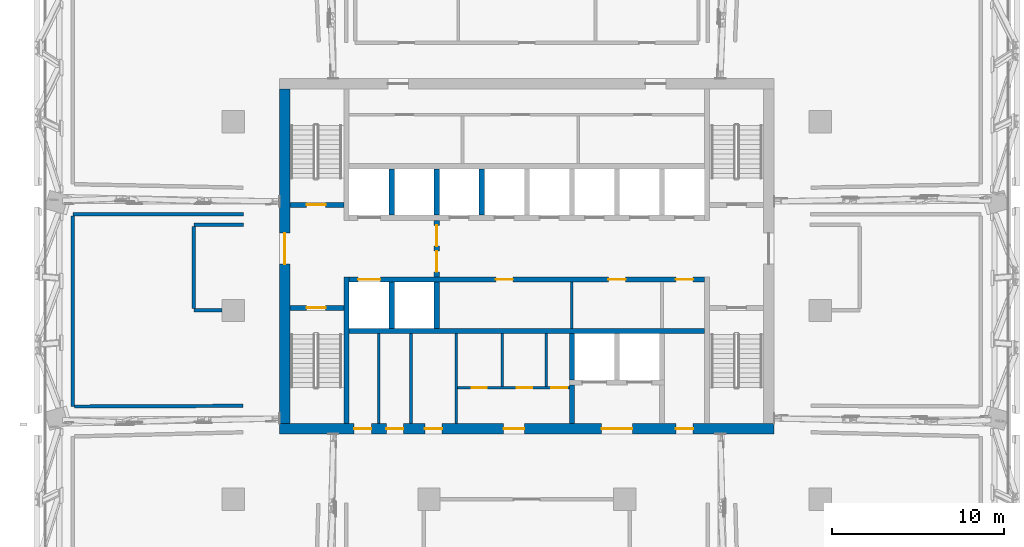
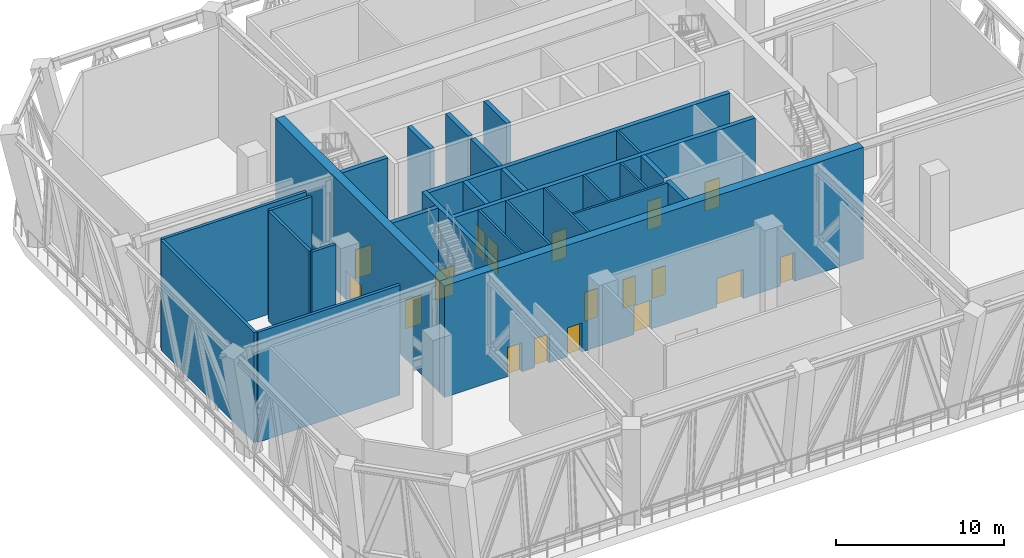
# One storey, part 6 of 24: 28 walls, 18 doors, 18 openings.
"""IFC4 building model written with IfcOpenShell, lengths in metres."""

from ifc_helpers import new_model, si_unit, direction, frame, frame_2d, origin, place, context, subcontext, project, spatial, rectangle, extrude, material, layer, layer_set, type_object, element, fill, save


model = new_model("IFC4")

# Units and contexts
model_context = context("Model", 3, precision=1e-05, world=origin(), true_north=direction((0.0, 1.0)))
body_context = subcontext(model_context, "Body", "Model", "MODEL_VIEW")
ifc_project = project(units=[si_unit("LENGTHUNIT", "METRE"), si_unit("AREAUNIT", "SQUARE_METRE"), si_unit("VOLUMEUNIT", "CUBIC_METRE"), si_unit("PLANEANGLEUNIT", "RADIAN"), si_unit("MASSUNIT", "GRAM", prefix="KILO")], contexts=[model_context])

# Site, building, storey
site_placement = place(None, origin())
site = spatial("IfcSite", under=ifc_project, at=site_placement, CompositionType="ELEMENT")
building_placement = place(site_placement, origin())
building = spatial("IfcBuilding", under=site, at=building_placement, Name="Mopane Tessera Tower", CompositionType="ELEMENT")
storey_placement = place(building_placement, frame((0.0, 0.0, 259.0)))
storey = spatial("IfcBuildingStorey", under=building, at=storey_placement, Name="L56", CompositionType="ELEMENT", Elevation=259.0)

# Walls
ifc_material_1 = material(Name="Fire-rated gypsum board partition")
ifc_layer_1 = layer(ifc_material_1, 0.14990234375)
ifc_layer_set_1 = layer_set([ifc_layer_1], Name="Fire-rated gypsum board partition")
wall_type_1 = type_object("IfcWallType", Name="Core room partition 150 mm", PredefinedType="PARTITIONING", material=ifc_layer_set_1)
for number, where, z_axis, x_axis, name in (
    (1, (-8.625, -6.60009765625, 0.0), (0.0, 0.0, 1.0), (0.0, 1.0, 0.0), "L56 Room partition"),
    (2, (-6.75, -6.60009765625, 0.0), (0.0, 0.0, 1.0), (0.0, 1.0, 0.0), "L56 Room partition"),
    (3, (-4.125, -6.60009765625, 0.0), (0.0, 0.0, 1.0), (0.0, 1.0, 0.0), "L56 Room partition"),
):
    element("IfcWall", number, at=place(storey_placement, frame(where, z_axis=z_axis, x_axis=x_axis)), inside=storey, type_object=wall_type_1, Name=name, PredefinedType="PARTITIONING", context=body_context, shape_type="SweptSolid", body=[
        extrude(rectangle(XDim=5.25, YDim=0.14990234375, at=frame_2d((2.625, 0.0))), origin(), (0.0, 0.0, 1.0), 8.10009765625),
    ])

# Wall, openings, doors
wall_1_placement = place(storey_placement, frame((-4.050048828125, -4.5, 0.0), z_axis=(0.0, 0.0, 1.0), x_axis=(1.0, 0.0, 0.0)))
wall_1 = element("IfcWall", 4, at=wall_1_placement, inside=storey, type_object=wall_type_1, Name="L56 WC partition", PredefinedType="PARTITIONING", context=body_context, shape_type="SweptSolid", body=[
    extrude(rectangle(XDim=6.525146484375, YDim=0.14990234375, at=frame_2d((3.2626953125, 0.0))), origin(), (0.0, 0.0, 1.0), 8.10009765625),
])
opening_1_placement = place(wall_1_placement, frame((0.824951171875, 0.0, 0.0)))
opening_1 = element("IfcOpeningElement", 5, at=opening_1_placement, cuts=wall_1, Name="Opening WD1", PredefinedType="OPENING", context=body_context, shape_type="SweptSolid", body=[
    extrude(rectangle(XDim=0.89990234375, YDim=2.10009765625, at=frame_2d((0.449951171875, 1.050048828125))), frame((0.0, 0.0869140625, 0.0), z_axis=(0.0, -1.0, 0.0), x_axis=(1.0, 0.0, 0.0)), (0.0, 0.0, 1.0), 0.173828125),
])
opening_2_placement = place(wall_1_placement, frame((3.45751953125, 0.0, 0.0)))
opening_2 = element("IfcOpeningElement", 6, at=opening_2_placement, cuts=wall_1, Name="Opening WD1", PredefinedType="OPENING", context=body_context, shape_type="SweptSolid", body=[
    extrude(rectangle(XDim=0.89990234375, YDim=2.10009765625, at=frame_2d((0.449951171875, 1.050048828125))), frame((0.0, 0.0869140625, 0.0), z_axis=(0.0, -1.0, 0.0), x_axis=(1.0, 0.0, 0.0)), (0.0, 0.0, 1.0), 0.173828125),
])
opening_3_placement = place(wall_1_placement, frame((5.45751953125, 0.0, 0.0)))
opening_3 = element("IfcOpeningElement", 7, at=opening_3_placement, cuts=wall_1, Name="Opening WD2", PredefinedType="OPENING", context=body_context, shape_type="SweptSolid", body=[
    extrude(rectangle(XDim=0.949951171875, YDim=2.10009765625, at=frame_2d((0.47509765625, 1.050048828125))), frame((0.0, 0.0869140625, 0.0), z_axis=(0.0, -1.0, 0.0), x_axis=(1.0, 0.0, 0.0)), (0.0, 0.0, 1.0), 0.173828125),
])
ifc_material_2 = material(Name="Timber door", Category="wood")
door_type_1 = type_object("IfcDoorType", Name="Accessible WC door 950 x 2100", OperationType="SINGLE_SWING_LEFT", PredefinedType="DOOR", material=ifc_material_2)
door_1_placement = place(opening_3_placement, origin())
door_1 = element("IfcDoor", 8, at=door_1_placement, inside=storey, type_object=door_type_1, Name="L56 Accessible WC door", OperationType="SINGLE_SWING_LEFT", OverallHeight=2.10009765625, OverallWidth=0.949951171875, PredefinedType="DOOR", context=body_context, shape_type="SweptSolid", body=[
    extrude(rectangle(XDim=0.949951171875, YDim=2.10009765625, at=frame_2d((0.47509765625, 1.050048828125))), frame((0.0, 0.02490234375, 0.0), z_axis=(0.0, -1.0, 0.0), x_axis=(1.0, 0.0, 0.0)), (0.0, 0.0, 1.0), 0.050048828125),
])
fill(opening_3, door_1)
ifc_material_3 = material(Name="Timber door", Category="wood")
door_type_2 = type_object("IfcDoorType", Name="WC cubicle door 900 x 2100", OperationType="SINGLE_SWING_LEFT", PredefinedType="DOOR", material=ifc_material_3)
door_2_placement = place(opening_1_placement, origin())
door_2 = element("IfcDoor", 9, at=door_2_placement, inside=storey, type_object=door_type_2, Name="L56 Men's WC door", OperationType="SINGLE_SWING_LEFT", OverallHeight=2.10009765625, OverallWidth=0.89990234375, PredefinedType="DOOR", context=body_context, shape_type="SweptSolid", body=[
    extrude(rectangle(XDim=0.89990234375, YDim=2.10009765625, at=frame_2d((0.449951171875, 1.050048828125))), frame((0.0, 0.02490234375, 0.0), z_axis=(0.0, -1.0, 0.0), x_axis=(1.0, 0.0, 0.0)), (0.0, 0.0, 1.0), 0.050048828125),
])
fill(opening_1, door_2)
door_3_placement = place(opening_2_placement, origin())
door_3 = element("IfcDoor", 10, at=door_3_placement, inside=storey, type_object=door_type_2, Name="L56 Women's WC door", OperationType="SINGLE_SWING_LEFT", OverallHeight=2.10009765625, OverallWidth=0.89990234375, PredefinedType="DOOR", context=body_context, shape_type="SweptSolid", body=[
    extrude(rectangle(XDim=0.89990234375, YDim=2.10009765625, at=frame_2d((0.449951171875, 1.050048828125))), frame((0.0, 0.02490234375, 0.0), z_axis=(0.0, -1.0, 0.0), x_axis=(1.0, 0.0, 0.0)), (0.0, 0.0, 1.0), 0.050048828125),
])
fill(opening_2, door_3)

# Walls
for number, where, z_axis, x_axis, name in (
    (11, (-1.425048828125, -4.425048828125, 0.0), (0.0, 0.0, 1.0), (0.0, 1.0, 0.0), "L56 WC partition"),
    (12, (1.139892578125, -4.425048828125, 0.0), (0.0, 0.0, 1.0), (0.0, 1.0, 0.0), "L56 WC partition"),
):
    element("IfcWall", number, at=place(storey_placement, frame(where, z_axis=z_axis, x_axis=x_axis)), inside=storey, type_object=wall_type_1, Name=name, PredefinedType="PARTITIONING", context=body_context, shape_type="SweptSolid", body=[
        extrude(rectangle(XDim=3.074951171875, YDim=0.14990234375, at=frame_2d((1.53759765625, 0.0))), origin(), (0.0, 0.0, 1.0), 8.10009765625),
    ])
wall_2_placement = place(storey_placement, frame((2.625, -1.050048828125, 0.0), z_axis=(0.0, 0.0, 1.0), x_axis=(0.0, 1.0, 0.0)))
element("IfcWall", 13, at=wall_2_placement, inside=storey, type_object=wall_type_1, Name="L56 Room partition", PredefinedType="PARTITIONING", context=body_context, shape_type="SweptSolid", body=[
    extrude(rectangle(XDim=2.699951171875, YDim=0.14990234375, at=frame_2d((1.35009765625, 0.0))), origin(), (0.0, 0.0, 1.0), 8.10009765625),
])

# Wall, openings, doors
ifc_material_4 = material(Name="Concrete C70/85", Category="concrete")
ifc_layer_2 = layer(ifc_material_4, 0.60009765625)
ifc_layer_set_2 = layer_set([ifc_layer_2], Name="Concrete C70/85")
wall_type_2 = type_object("IfcWallType", Name="Core shear wall 600 mm", PredefinedType="SHEAR", material=ifc_layer_set_2)
wall_3_placement = place(storey_placement, frame((-14.39990234375, -6.89990234375, 0.0), z_axis=(0.0, 0.0, 1.0), x_axis=(1.0, 0.0, 0.0)))
wall_3 = element("IfcWall", 14, at=wall_3_placement, inside=storey, type_object=wall_type_2, Name="L56 Core wall south", PredefinedType="SHEAR", context=body_context, shape_type="SweptSolid", body=[
    extrude(rectangle(XDim=28.7998046875, YDim=0.60009765625, at=frame_2d((14.39990234375, 0.0))), origin(), (0.0, 0.0, 1.0), 8.10009765625),
])
opening_4_placement = place(wall_3_placement, frame((4.33740234375, 0.0, 0.0)))
opening_4 = element("IfcOpeningElement", 15, at=opening_4_placement, cuts=wall_3, Name="Opening RD1", PredefinedType="OPENING", context=body_context, shape_type="SweptSolid", body=[
    extrude(rectangle(XDim=1.0, YDim=2.10009765625, at=frame_2d((0.5, 1.050048828125))), frame((0.0, 0.31201171875, 0.0), z_axis=(0.0, -1.0, 0.0), x_axis=(1.0, 0.0, 0.0)), (0.0, 0.0, 1.0), 0.6240234375),
])
opening_5_placement = place(wall_3_placement, frame((6.21240234375, 0.0, 0.0)))
opening_5 = element("IfcOpeningElement", 16, at=opening_5_placement, cuts=wall_3, Name="Opening RD1", PredefinedType="OPENING", context=body_context, shape_type="SweptSolid", body=[
    extrude(rectangle(XDim=1.0, YDim=2.10009765625, at=frame_2d((0.5, 1.050048828125))), frame((0.0, 0.31201171875, 0.0), z_axis=(0.0, -1.0, 0.0), x_axis=(1.0, 0.0, 0.0)), (0.0, 0.0, 1.0), 0.6240234375),
])
opening_6_placement = place(wall_3_placement, frame((8.46240234375, 0.0, 0.0)))
opening_6 = element("IfcOpeningElement", 17, at=opening_6_placement, cuts=wall_3, Name="Opening RD1", PredefinedType="OPENING", context=body_context, shape_type="SweptSolid", body=[
    extrude(rectangle(XDim=1.0, YDim=2.10009765625, at=frame_2d((0.5, 1.050048828125))), frame((0.0, 0.31201171875, 0.0), z_axis=(0.0, -1.0, 0.0), x_axis=(1.0, 0.0, 0.0)), (0.0, 0.0, 1.0), 0.6240234375),
])
opening_7_placement = place(wall_3_placement, frame((13.050048828125, 0.0, 0.0)))
opening_7 = element("IfcOpeningElement", 18, at=opening_7_placement, cuts=wall_3, Name="Opening WD3", PredefinedType="OPENING", context=body_context, shape_type="SweptSolid", body=[
    extrude(rectangle(XDim=1.199951171875, YDim=2.10009765625, at=frame_2d((0.60009765625, 1.050048828125))), frame((0.0, 0.31201171875, 0.0), z_axis=(0.0, -1.0, 0.0), x_axis=(1.0, 0.0, 0.0)), (0.0, 0.0, 1.0), 0.6240234375),
])
opening_8_placement = place(wall_3_placement, frame((18.75, 0.0, 0.0)))
opening_8 = element("IfcOpeningElement", 19, at=opening_8_placement, cuts=wall_3, Name="Opening SD2", PredefinedType="OPENING", context=body_context, shape_type="SweptSolid", body=[
    extrude(rectangle(XDim=1.800048828125, YDim=2.10009765625, at=frame_2d((0.89990234375, 1.050048828125))), frame((0.0, 0.31201171875, 0.0), z_axis=(0.0, -1.0, 0.0), x_axis=(1.0, 0.0, 0.0)), (0.0, 0.0, 1.0), 0.6240234375),
])
opening_9_placement = place(wall_3_placement, frame((23.08740234375, 0.0, 0.0)))
opening_9 = element("IfcOpeningElement", 20, at=opening_9_placement, cuts=wall_3, Name="Opening RD1", PredefinedType="OPENING", context=body_context, shape_type="SweptSolid", body=[
    extrude(rectangle(XDim=1.0, YDim=2.10009765625, at=frame_2d((0.5, 1.050048828125))), frame((0.0, 0.31201171875, 0.0), z_axis=(0.0, -1.0, 0.0), x_axis=(1.0, 0.0, 0.0)), (0.0, 0.0, 1.0), 0.6240234375),
])
ifc_material_5 = material(Name="Steel fire door", Category="steel")
door_type_3 = type_object("IfcDoorType", Name="Core entrance double door 1800 x 2100", OperationType="DOUBLE_DOOR_SINGLE_SWING", PredefinedType="DOOR", material=ifc_material_5)
door_4_placement = place(opening_8_placement, origin())
door_4 = element("IfcDoor", 21, at=door_4_placement, inside=storey, type_object=door_type_3, Name="L56 Service lobby door", OperationType="DOUBLE_DOOR_SINGLE_SWING", OverallHeight=2.10009765625, OverallWidth=1.800048828125, PredefinedType="DOOR", context=body_context, shape_type="SweptSolid", body=[
    extrude(rectangle(XDim=1.800048828125, YDim=2.10009765625, at=frame_2d((0.89990234375, 1.050048828125))), frame((0.0, 0.02490234375, 0.0), z_axis=(0.0, -1.0, 0.0), x_axis=(1.0, 0.0, 0.0)), (0.0, 0.0, 1.0), 0.050048828125),
])
fill(opening_8, door_4)
ifc_material_6 = material(Name="Timber door", Category="wood")
door_type_4 = type_object("IfcDoorType", Name="Core room door 1000 x 2100", OperationType="SINGLE_SWING_LEFT", PredefinedType="DOOR", material=ifc_material_6)
door_5_placement = place(opening_4_placement, origin())
door_5 = element("IfcDoor", 22, at=door_5_placement, inside=storey, type_object=door_type_4, Name="L56 Room door", OperationType="SINGLE_SWING_LEFT", OverallHeight=2.10009765625, OverallWidth=1.0, PredefinedType="DOOR", context=body_context, shape_type="SweptSolid", body=[
    extrude(rectangle(XDim=1.0, YDim=2.10009765625, at=frame_2d((0.5, 1.050048828125))), frame((0.0, 0.02490234375, 0.0), z_axis=(0.0, -1.0, 0.0), x_axis=(1.0, 0.0, 0.0)), (0.0, 0.0, 1.0), 0.050048828125),
])
fill(opening_4, door_5)
door_6_placement = place(opening_5_placement, origin())
door_6 = element("IfcDoor", 23, at=door_6_placement, inside=storey, type_object=door_type_4, Name="L56 Room door", OperationType="SINGLE_SWING_LEFT", OverallHeight=2.10009765625, OverallWidth=1.0, PredefinedType="DOOR", context=body_context, shape_type="SweptSolid", body=[
    extrude(rectangle(XDim=1.0, YDim=2.10009765625, at=frame_2d((0.5, 1.050048828125))), frame((0.0, 0.02490234375, 0.0), z_axis=(0.0, -1.0, 0.0), x_axis=(1.0, 0.0, 0.0)), (0.0, 0.0, 1.0), 0.050048828125),
])
fill(opening_5, door_6)
door_7_placement = place(opening_6_placement, origin())
door_7 = element("IfcDoor", 24, at=door_7_placement, inside=storey, type_object=door_type_4, Name="L56 Room door", OperationType="SINGLE_SWING_LEFT", OverallHeight=2.10009765625, OverallWidth=1.0, PredefinedType="DOOR", context=body_context, shape_type="SweptSolid", body=[
    extrude(rectangle(XDim=1.0, YDim=2.10009765625, at=frame_2d((0.5, 1.050048828125))), frame((0.0, 0.02490234375, 0.0), z_axis=(0.0, -1.0, 0.0), x_axis=(1.0, 0.0, 0.0)), (0.0, 0.0, 1.0), 0.050048828125),
])
fill(opening_6, door_7)
door_8_placement = place(opening_9_placement, origin())
door_8 = element("IfcDoor", 25, at=door_8_placement, inside=storey, type_object=door_type_4, Name="L56 Room door", OperationType="SINGLE_SWING_LEFT", OverallHeight=2.10009765625, OverallWidth=1.0, PredefinedType="DOOR", context=body_context, shape_type="SweptSolid", body=[
    extrude(rectangle(XDim=1.0, YDim=2.10009765625, at=frame_2d((0.5, 1.050048828125))), frame((0.0, 0.02490234375, 0.0), z_axis=(0.0, -1.0, 0.0), x_axis=(1.0, 0.0, 0.0)), (0.0, 0.0, 1.0), 0.050048828125),
])
fill(opening_9, door_8)
ifc_material_7 = material(Name="Timber door", Category="wood")
door_type_5 = type_object("IfcDoorType", Name="WC lobby door 1200 x 2100", OperationType="SINGLE_SWING_LEFT", PredefinedType="DOOR", material=ifc_material_7)
door_9_placement = place(opening_7_placement, origin())
door_9 = element("IfcDoor", 26, at=door_9_placement, inside=storey, type_object=door_type_5, Name="L56 WC lobby door", OperationType="SINGLE_SWING_LEFT", OverallHeight=2.10009765625, OverallWidth=1.199951171875, PredefinedType="DOOR", context=body_context, shape_type="SweptSolid", body=[
    extrude(rectangle(XDim=1.199951171875, YDim=2.10009765625, at=frame_2d((0.60009765625, 1.050048828125))), frame((0.0, 0.02490234375, 0.0), z_axis=(0.0, -1.0, 0.0), x_axis=(1.0, 0.0, 0.0)), (0.0, 0.0, 1.0), 0.050048828125),
])
fill(opening_7, door_9)

# Wall, opening, door
wall_4_placement = place(storey_placement, frame((-14.10009765625, -6.60009765625, 0.0), z_axis=(0.0, 0.0, 1.0), x_axis=(0.0, 1.0, 0.0)))
wall_4 = element("IfcWall", 27, at=wall_4_placement, inside=storey, type_object=wall_type_2, Name="L56 Core wall west", PredefinedType="SHEAR", context=body_context, shape_type="SweptSolid", body=[
    extrude(rectangle(XDim=19.5, YDim=0.60009765625, at=frame_2d((9.75, 0.0))), origin(), (0.0, 0.0, 1.0), 8.10009765625),
])
opening_10_placement = place(wall_4_placement, frame((9.300048828125, 0.0, 0.0)))
opening_10 = element("IfcOpeningElement", 28, at=opening_10_placement, cuts=wall_4, Name="Opening SD2", PredefinedType="OPENING", context=body_context, shape_type="SweptSolid", body=[
    extrude(rectangle(XDim=1.800048828125, YDim=2.10009765625, at=frame_2d((0.89990234375, 1.050048828125))), frame((0.0, 0.31201171875, 0.0), z_axis=(0.0, -1.0, 0.0), x_axis=(1.0, 0.0, 0.0)), (0.0, 0.0, 1.0), 0.6240234375),
])
door_10_placement = place(opening_10_placement, origin())
door_10 = element("IfcDoor", 29, at=door_10_placement, inside=storey, type_object=door_type_3, Name="L56 Core entrance door west", OperationType="DOUBLE_DOOR_SINGLE_SWING", OverallHeight=2.10009765625, OverallWidth=1.800048828125, PredefinedType="DOOR", context=body_context, shape_type="SweptSolid", body=[
    extrude(rectangle(XDim=1.800048828125, YDim=2.10009765625, at=frame_2d((0.89990234375, 1.050048828125))), frame((0.0, 0.02490234375, 0.0), z_axis=(0.0, -1.0, 0.0), x_axis=(1.0, 0.0, 0.0)), (0.0, 0.0, 1.0), 0.050048828125),
])
fill(opening_10, door_10)

# Walls
ifc_material_8 = material(Name="Concrete C60/75", Category="concrete")
ifc_layer_3 = layer(ifc_material_8, 0.300048828125)
ifc_layer_set_3 = layer_set([ifc_layer_3], Name="Concrete C60/75")
wall_type_3 = type_object("IfcWallType", Name="Core spine wall 300 mm", PredefinedType="SHEAR", material=ifc_layer_set_3)
wall_5_placement = place(storey_placement, frame((-10.5, -6.60009765625, 0.0), z_axis=(0.0, 0.0, 1.0), x_axis=(0.0, 1.0, 0.0)))
element("IfcWall", 30, at=wall_5_placement, inside=storey, type_object=wall_type_3, Name="L56 Core spine wall", PredefinedType="SHEAR", context=body_context, shape_type="SweptSolid", body=[
    extrude(rectangle(XDim=8.550048828125, YDim=0.300048828125, at=frame_2d((4.27490234375, 0.0))), origin(), (0.0, 0.0, 1.0), 8.10009765625),
])
ifc_material_9 = material(Name="Gypsum board on steel studs, two layers each face, mineral wool infill", Category="steel")
ifc_layer_4 = layer(ifc_material_9, 0.199951171875)
ifc_layer_set_4 = layer_set([ifc_layer_4], Name="Gypsum board on steel studs, two layers each face, mineral wool infill")
wall_type_4 = type_object("IfcWallType", Name="Gypsum board corridor wall 200, rated EI 60", PredefinedType="PARTITIONING", material=ifc_layer_set_4)
wall_6_placement = place(storey_placement, frame((-19.39990234375, 0.0, 0.0), z_axis=(0.0, 0.0, 1.0), x_axis=(1.0, 0.0, 0.0)))
element("IfcWall", 31, at=wall_6_placement, inside=storey, type_object=wall_type_4, Name="Partition L56:005", PredefinedType="PARTITIONING", context=body_context, shape_type="SweptSolid", body=[
    extrude(rectangle(XDim=1.64990234375, YDim=0.199951171875, at=frame_2d((0.824951171875, 0.0))), origin(), (0.0, 0.0, 1.0), 8.0),
])
wall_7_placement = place(storey_placement, frame((-19.39990234375, 5.0, 0.0), z_axis=(0.0, 0.0, 1.0), x_axis=(1.0, 0.0, 0.0)))
element("IfcWall", 32, at=wall_7_placement, inside=storey, type_object=wall_type_4, Name="Partition L56:007", PredefinedType="PARTITIONING", context=body_context, shape_type="SweptSolid", body=[
    extrude(rectangle(XDim=2.889892578125, YDim=0.199951171875, at=frame_2d((1.44482421875, 0.0))), origin(), (0.0, 0.0, 1.0), 8.0),
])
wall_8_placement = place(storey_placement, frame((-26.449951171875, 5.60498046875, 0.0), z_axis=(0.0, 0.0, 1.0), x_axis=(1.0, 0.0, 0.0)))
element("IfcWall", 33, at=wall_8_placement, inside=storey, type_object=wall_type_4, Name="Partition L56:009", PredefinedType="PARTITIONING", context=body_context, shape_type="SweptSolid", body=[
    extrude(rectangle(XDim=9.929931640625, YDim=0.199951171875, at=frame_2d((4.96484375, 0.0))), origin(), (0.0, 0.0, 1.0), 8.0),
])
wall_9_placement = place(storey_placement, frame((-26.449951171875, -5.60009765625, 0.0), z_axis=(0.0, 0.0, 1.0), x_axis=(0.0, 1.0, 0.0)))
element("IfcWall", 34, at=wall_9_placement, inside=storey, type_object=wall_type_4, Name="Partition L56:019", PredefinedType="PARTITIONING", context=body_context, shape_type="SweptSolid", body=[
    extrude(rectangle(XDim=11.10498046875, YDim=0.199951171875, at=frame_2d((5.552490234375, 0.0))), origin(), (0.0, 0.0, 1.0), 8.0),
])
wall_10_placement = place(storey_placement, frame((-19.39990234375, 0.10009765625, 0.0), z_axis=(0.0, 0.0, 1.0), x_axis=(0.0, 1.0, 0.0)))
element("IfcWall", 35, at=wall_10_placement, inside=storey, type_object=wall_type_4, Name="Partition L56:021", PredefinedType="PARTITIONING", context=body_context, shape_type="SweptSolid", body=[
    extrude(rectangle(XDim=4.7998046875, YDim=0.199951171875, at=frame_2d((2.39990234375, 0.0))), origin(), (0.0, 0.0, 1.0), 8.0),
])
wall_11_placement = place(storey_placement, frame((-16.550048828125, -5.56005859375, 0.0), z_axis=(0.0, 0.0, 1.0), x_axis=(-0.999991654048, -0.004085564168, 0.0)))
element("IfcWall", 36, at=wall_11_placement, inside=storey, type_object=wall_type_4, Name="Partition L56:036", PredefinedType="PARTITIONING", context=body_context, shape_type="SweptSolid", body=[
    extrude(rectangle(XDim=9.800048828125, YDim=0.199951171875, at=frame_2d((4.89990234375, 0.0))), origin(), (0.0, 0.0, 1.0), 8.0),
])

# Wall, opening, door
ifc_material_10 = material(Name="Concrete C50/60", Category="concrete")
ifc_layer_5 = layer(ifc_material_10, 0.300048828125)
ifc_layer_set_5 = layer_set([ifc_layer_5], Name="Concrete C50/60")
wall_type_5 = type_object("IfcWallType", Name="Lift and stair shaft wall 300 mm", PredefinedType="SOLIDWALL", material=ifc_layer_set_5)
wall_12_placement = place(storey_placement, frame((-13.800048828125, 0.14990234375, 0.0), z_axis=(0.0, 0.0, 1.0), x_axis=(1.0, 0.0, 0.0)))
wall_12 = element("IfcWall", 37, at=wall_12_placement, inside=storey, type_object=wall_type_5, Name="L56 Stair enclosure wall", PredefinedType="SOLIDWALL", context=body_context, shape_type="SweptSolid", body=[
    extrude(rectangle(XDim=3.150146484375, YDim=0.300048828125, at=frame_2d((1.5751953125, 0.0))), origin(), (0.0, 0.0, 1.0), 8.10009765625),
])
opening_11_placement = place(wall_12_placement, frame((0.97509765625, 0.0, 0.0)))
opening_11 = element("IfcOpeningElement", 38, at=opening_11_placement, cuts=wall_12, Name="Opening SD1", PredefinedType="OPENING", context=body_context, shape_type="SweptSolid", body=[
    extrude(rectangle(XDim=1.10009765625, YDim=2.10009765625, at=frame_2d((0.550048828125, 1.050048828125))), frame((0.0, 0.162109375, 0.0), z_axis=(0.0, -1.0, 0.0), x_axis=(1.0, 0.0, 0.0)), (0.0, 0.0, 1.0), 0.323974609375),
])
ifc_material_11 = material(Name="Steel fire door", Category="steel")
door_type_6 = type_object("IfcDoorType", Name="Stair fire door 1100 x 2100", OperationType="SINGLE_SWING_LEFT", PredefinedType="DOOR", material=ifc_material_11)
door_11_placement = place(opening_11_placement, origin())
door_11 = element("IfcDoor", 39, at=door_11_placement, inside=storey, type_object=door_type_6, Name="L56 Stair door ST1", OperationType="SINGLE_SWING_LEFT", OverallHeight=2.10009765625, OverallWidth=1.10009765625, PredefinedType="DOOR", context=body_context, shape_type="SweptSolid", body=[
    extrude(rectangle(XDim=1.10009765625, YDim=2.10009765625, at=frame_2d((0.550048828125, 1.050048828125))), frame((0.0, 0.02490234375, 0.0), z_axis=(0.0, -1.0, 0.0), x_axis=(1.0, 0.0, 0.0)), (0.0, 0.0, 1.0), 0.050048828125),
])
fill(opening_11, door_11)

wall_13_placement = place(storey_placement, frame((-13.800048828125, 6.14990234375, 0.0), z_axis=(0.0, 0.0, 1.0), x_axis=(1.0, 0.0, 0.0)))
wall_13 = element("IfcWall", 40, at=wall_13_placement, inside=storey, type_object=wall_type_5, Name="L56 Stair enclosure wall", PredefinedType="SOLIDWALL", context=body_context, shape_type="SweptSolid", body=[
    extrude(rectangle(XDim=3.150146484375, YDim=0.300048828125, at=frame_2d((1.5751953125, 0.0))), origin(), (0.0, 0.0, 1.0), 8.10009765625),
])
opening_12_placement = place(wall_13_placement, frame((0.97509765625, 0.0, 0.0)))
opening_12 = element("IfcOpeningElement", 41, at=opening_12_placement, cuts=wall_13, Name="Opening SD1", PredefinedType="OPENING", context=body_context, shape_type="SweptSolid", body=[
    extrude(rectangle(XDim=1.10009765625, YDim=2.10009765625, at=frame_2d((0.550048828125, 1.050048828125))), frame((0.0, 0.162109375, 0.0), z_axis=(0.0, -1.0, 0.0), x_axis=(1.0, 0.0, 0.0)), (0.0, 0.0, 1.0), 0.323974609375),
])
door_12_placement = place(opening_12_placement, origin())
door_12 = element("IfcDoor", 42, at=door_12_placement, inside=storey, type_object=door_type_6, Name="L56 Stair door ST2", OperationType="SINGLE_SWING_LEFT", OverallHeight=2.10009765625, OverallWidth=1.10009765625, PredefinedType="DOOR", context=body_context, shape_type="SweptSolid", body=[
    extrude(rectangle(XDim=1.10009765625, YDim=2.10009765625, at=frame_2d((0.550048828125, 1.050048828125))), frame((0.0, 0.02490234375, 0.0), z_axis=(0.0, -1.0, 0.0), x_axis=(1.0, 0.0, 0.0)), (0.0, 0.0, 1.0), 0.050048828125),
])
fill(opening_12, door_12)

# Wall
wall_14_placement = place(storey_placement, frame((-10.35009765625, -1.199951171875, 0.0), z_axis=(0.0, 0.0, 1.0), x_axis=(1.0, 0.0, 0.0)))
element("IfcWall", 43, at=wall_14_placement, inside=storey, type_object=wall_type_5, Name="L56 Lift shaft rear wall", PredefinedType="SOLIDWALL", context=body_context, shape_type="SweptSolid", body=[
    extrude(rectangle(XDim=20.7001953125, YDim=0.300048828125, at=frame_2d((10.35009765625, 0.0))), origin(), (0.0, 0.0, 1.0), 8.10009765625),
])

# Wall, openings, doors
wall_15_placement = place(storey_placement, frame((-10.35009765625, 1.800048828125, 0.0), z_axis=(0.0, 0.0, 1.0), x_axis=(1.0, 0.0, 0.0)))
wall_15 = element("IfcWall", 44, at=wall_15_placement, inside=storey, type_object=wall_type_5, Name="L56 Lift shaft front wall", PredefinedType="SOLIDWALL", context=body_context, shape_type="SweptSolid", body=[
    extrude(rectangle(XDim=20.7001953125, YDim=0.300048828125, at=frame_2d((10.35009765625, 0.0))), origin(), (0.0, 0.0, 1.0), 8.10009765625),
])
opening_13_placement = place(wall_15_placement, frame((0.512451171875, 0.0, 0.0)))
opening_13 = element("IfcOpeningElement", 45, at=opening_13_placement, cuts=wall_15, Name="Opening LD2", PredefinedType="OPENING", context=body_context, shape_type="SweptSolid", body=[
    extrude(rectangle(XDim=1.300048828125, YDim=2.10009765625, at=frame_2d((0.64990234375, 1.050048828125))), frame((0.0, 0.162109375, 0.0), z_axis=(0.0, -1.0, 0.0), x_axis=(1.0, 0.0, 0.0)), (0.0, 0.0, 1.0), 0.323974609375),
])
opening_14_placement = place(wall_15_placement, frame((8.53759765625, 0.0, 0.0)))
opening_14 = element("IfcOpeningElement", 46, at=opening_14_placement, cuts=wall_15, Name="Opening RD1", PredefinedType="OPENING", context=body_context, shape_type="SweptSolid", body=[
    extrude(rectangle(XDim=1.0, YDim=2.10009765625, at=frame_2d((0.5, 1.050048828125))), frame((0.0, 0.162109375, 0.0), z_axis=(0.0, -1.0, 0.0), x_axis=(1.0, 0.0, 0.0)), (0.0, 0.0, 1.0), 0.323974609375),
])
opening_15_placement = place(wall_15_placement, frame((15.10009765625, 0.0, 0.0)))
opening_15 = element("IfcOpeningElement", 47, at=opening_15_placement, cuts=wall_15, Name="Opening RD1", PredefinedType="OPENING", context=body_context, shape_type="SweptSolid", body=[
    extrude(rectangle(XDim=1.0, YDim=2.10009765625, at=frame_2d((0.5, 1.050048828125))), frame((0.0, 0.162109375, 0.0), z_axis=(0.0, -1.0, 0.0), x_axis=(1.0, 0.0, 0.0)), (0.0, 0.0, 1.0), 0.323974609375),
])
opening_16_placement = place(wall_15_placement, frame((19.03759765625, 0.0, 0.0)))
opening_16 = element("IfcOpeningElement", 48, at=opening_16_placement, cuts=wall_15, Name="Opening RD1", PredefinedType="OPENING", context=body_context, shape_type="SweptSolid", body=[
    extrude(rectangle(XDim=1.0, YDim=2.10009765625, at=frame_2d((0.5, 1.050048828125))), frame((0.0, 0.162109375, 0.0), z_axis=(0.0, -1.0, 0.0), x_axis=(1.0, 0.0, 0.0)), (0.0, 0.0, 1.0), 0.323974609375),
])
door_13_placement = place(opening_14_placement, origin())
door_13 = element("IfcDoor", 49, at=door_13_placement, inside=storey, type_object=door_type_4, Name="L56 Room door", OperationType="SINGLE_SWING_LEFT", OverallHeight=2.10009765625, OverallWidth=1.0, PredefinedType="DOOR", context=body_context, shape_type="SweptSolid", body=[
    extrude(rectangle(XDim=1.0, YDim=2.10009765625, at=frame_2d((0.5, 1.050048828125))), frame((0.0, 0.02490234375, 0.0), z_axis=(0.0, -1.0, 0.0), x_axis=(1.0, 0.0, 0.0)), (0.0, 0.0, 1.0), 0.050048828125),
])
fill(opening_14, door_13)
door_14_placement = place(opening_15_placement, origin())
door_14 = element("IfcDoor", 50, at=door_14_placement, inside=storey, type_object=door_type_4, Name="L56 Room door", OperationType="SINGLE_SWING_LEFT", OverallHeight=2.10009765625, OverallWidth=1.0, PredefinedType="DOOR", context=body_context, shape_type="SweptSolid", body=[
    extrude(rectangle(XDim=1.0, YDim=2.10009765625, at=frame_2d((0.5, 1.050048828125))), frame((0.0, 0.02490234375, 0.0), z_axis=(0.0, -1.0, 0.0), x_axis=(1.0, 0.0, 0.0)), (0.0, 0.0, 1.0), 0.050048828125),
])
fill(opening_15, door_14)
door_15_placement = place(opening_16_placement, origin())
door_15 = element("IfcDoor", 51, at=door_15_placement, inside=storey, type_object=door_type_4, Name="L56 Room door", OperationType="SINGLE_SWING_LEFT", OverallHeight=2.10009765625, OverallWidth=1.0, PredefinedType="DOOR", context=body_context, shape_type="SweptSolid", body=[
    extrude(rectangle(XDim=1.0, YDim=2.10009765625, at=frame_2d((0.5, 1.050048828125))), frame((0.0, 0.02490234375, 0.0), z_axis=(0.0, -1.0, 0.0), x_axis=(1.0, 0.0, 0.0)), (0.0, 0.0, 1.0), 0.050048828125),
])
fill(opening_16, door_15)
ifc_material_12 = material(Name="Stainless steel sliding door", Category="steel")
door_type_7 = type_object("IfcDoorType", Name="Fire-fighting lift landing door 1300 x 2100", OperationType="DOUBLE_DOOR_SLIDING", PredefinedType="DOOR", material=ifc_material_12)
door_16_placement = place(opening_13_placement, origin())
door_16 = element("IfcDoor", 52, at=door_16_placement, inside=storey, type_object=door_type_7, Name="L56 Lift landing door FF1", OperationType="DOUBLE_DOOR_SLIDING", OverallHeight=2.10009765625, OverallWidth=1.300048828125, PredefinedType="DOOR", context=body_context, shape_type="SweptSolid", body=[
    extrude(rectangle(XDim=1.300048828125, YDim=2.10009765625, at=frame_2d((0.64990234375, 1.050048828125))), frame((0.0, 0.02490234375, 0.0), z_axis=(0.0, -1.0, 0.0), x_axis=(1.0, 0.0, 0.0)), (0.0, 0.0, 1.0), 0.050048828125),
])
fill(opening_13, door_16)

# Walls
for number, where, z_axis, x_axis, name in (
    (53, (-7.875, -1.050048828125, 0.0), (0.0, 0.0, 1.0), (0.0, 1.0, 0.0), "L56 Lift shaft wall"),
    (54, (-5.25, -1.050048828125, 0.0), (0.0, 0.0, 1.0), (0.0, 1.0, 0.0), "L56 Lift shaft wall"),
    (55, (-7.875, 5.550048828125, 0.0), (0.0, 0.0, 1.0), (0.0, 1.0, 0.0), "L56 Lift shaft wall"),
    (56, (-5.25, 5.550048828125, 0.0), (0.0, 0.0, 1.0), (0.0, 1.0, 0.0), "L56 Lift shaft wall"),
    (57, (-2.625, 5.550048828125, 0.0), (0.0, 0.0, 1.0), (0.0, 1.0, 0.0), "L56 Lift shaft wall"),
    (58, (2.625, -4.050048828125, 0.0), (0.0, 0.0, 1.0), (0.0, 1.0, 0.0), "L56 Lift shaft wall"),
):
    element("IfcWall", number, at=place(storey_placement, frame(where, z_axis=z_axis, x_axis=x_axis)), inside=storey, type_object=wall_type_5, Name=name, PredefinedType="SOLIDWALL", context=body_context, shape_type="SweptSolid", body=[
        extrude(rectangle(XDim=2.699951171875, YDim=0.300048828125, at=frame_2d((1.35009765625, 0.0))), origin(), (0.0, 0.0, 1.0), 8.10009765625),
    ])

# Wall, openings, doors
ifc_material_13 = material(Name="Concrete C50/60", Category="concrete")
ifc_layer_6 = layer(ifc_material_13, 0.300048828125)
ifc_layer_set_6 = layer_set([ifc_layer_6], Name="Concrete C50/60")
wall_type_6 = type_object("IfcWallType", Name="Lobby and refuge room wall 300 mm", PredefinedType="SOLIDWALL", material=ifc_layer_set_6)
wall_16_placement = place(storey_placement, frame((-5.25, 1.949951171875, 0.0), z_axis=(0.0, 0.0, 1.0), x_axis=(0.0, 1.0, 0.0)))
wall_16 = element("IfcWall", 59, at=wall_16_placement, inside=storey, type_object=wall_type_6, Name="L56 Fire-fighting lobby wall", PredefinedType="SOLIDWALL", context=body_context, shape_type="SweptSolid", body=[
    extrude(rectangle(XDim=3.300048828125, YDim=0.300048828125, at=frame_2d((1.64990234375, 0.0))), origin(), (0.0, 0.0, 1.0), 8.10009765625),
])
opening_17_placement = place(wall_16_placement, frame((0.300048828125, 0.0, 0.0)))
opening_17 = element("IfcOpeningElement", 60, at=opening_17_placement, cuts=wall_16, Name="Opening SD3", PredefinedType="OPENING", context=body_context, shape_type="SweptSolid", body=[
    extrude(rectangle(XDim=1.199951171875, YDim=2.10009765625, at=frame_2d((0.60009765625, 1.050048828125))), frame((0.0, 0.162109375, 0.0), z_axis=(0.0, -1.0, 0.0), x_axis=(1.0, 0.0, 0.0)), (0.0, 0.0, 1.0), 0.323974609375),
])
opening_18_placement = place(wall_16_placement, frame((1.800048828125, 0.0, 0.0)))
opening_18 = element("IfcOpeningElement", 61, at=opening_18_placement, cuts=wall_16, Name="Opening SD3", PredefinedType="OPENING", context=body_context, shape_type="SweptSolid", body=[
    extrude(rectangle(XDim=1.199951171875, YDim=2.10009765625, at=frame_2d((0.60009765625, 1.050048828125))), frame((0.0, 0.162109375, 0.0), z_axis=(0.0, -1.0, 0.0), x_axis=(1.0, 0.0, 0.0)), (0.0, 0.0, 1.0), 0.323974609375),
])
ifc_material_14 = material(Name="Steel fire door", Category="steel")
door_type_8 = type_object("IfcDoorType", Name="Lobby fire door 1200 x 2100", OperationType="SINGLE_SWING_LEFT", PredefinedType="DOOR", material=ifc_material_14)
door_17_placement = place(opening_17_placement, origin())
door_17 = element("IfcDoor", 62, at=door_17_placement, inside=storey, type_object=door_type_8, Name="L56 Fire-fighting lobby door", OperationType="SINGLE_SWING_LEFT", OverallHeight=2.10009765625, OverallWidth=1.199951171875, PredefinedType="DOOR", context=body_context, shape_type="SweptSolid", body=[
    extrude(rectangle(XDim=1.199951171875, YDim=2.10009765625, at=frame_2d((0.60009765625, 1.050048828125))), frame((0.0, 0.02490234375, 0.0), z_axis=(0.0, -1.0, 0.0), x_axis=(1.0, 0.0, 0.0)), (0.0, 0.0, 1.0), 0.050048828125),
])
fill(opening_17, door_17)
door_18_placement = place(opening_18_placement, origin())
door_18 = element("IfcDoor", 63, at=door_18_placement, inside=storey, type_object=door_type_8, Name="L56 Fire-fighting lobby door", OperationType="SINGLE_SWING_RIGHT", OverallHeight=2.10009765625, OverallWidth=1.199951171875, PredefinedType="DOOR", context=body_context, shape_type="SweptSolid", body=[
    extrude(rectangle(XDim=1.199951171875, YDim=2.10009765625, at=frame_2d((0.60009765625, 1.050048828125))), frame((0.0, 0.02490234375, 0.0), z_axis=(0.0, -1.0, 0.0), x_axis=(1.0, 0.0, 0.0)), (0.0, 0.0, 1.0), 0.050048828125),
])
fill(opening_18, door_18)

# Wall
wall_17_placement = place(storey_placement, frame((2.625, -6.60009765625, 0.0), z_axis=(0.0, 0.0, 1.0), x_axis=(0.0, 1.0, 0.0)))
element("IfcWall", 64, at=wall_17_placement, inside=storey, type_object=wall_type_6, Name="L56 Service lobby wall", PredefinedType="SOLIDWALL", context=body_context, shape_type="SweptSolid", body=[
    extrude(rectangle(XDim=2.25, YDim=0.300048828125, at=frame_2d((1.125, 0.0))), origin(), (0.0, 0.0, 1.0), 8.10009765625),
])

save(model, "model.ifc")
